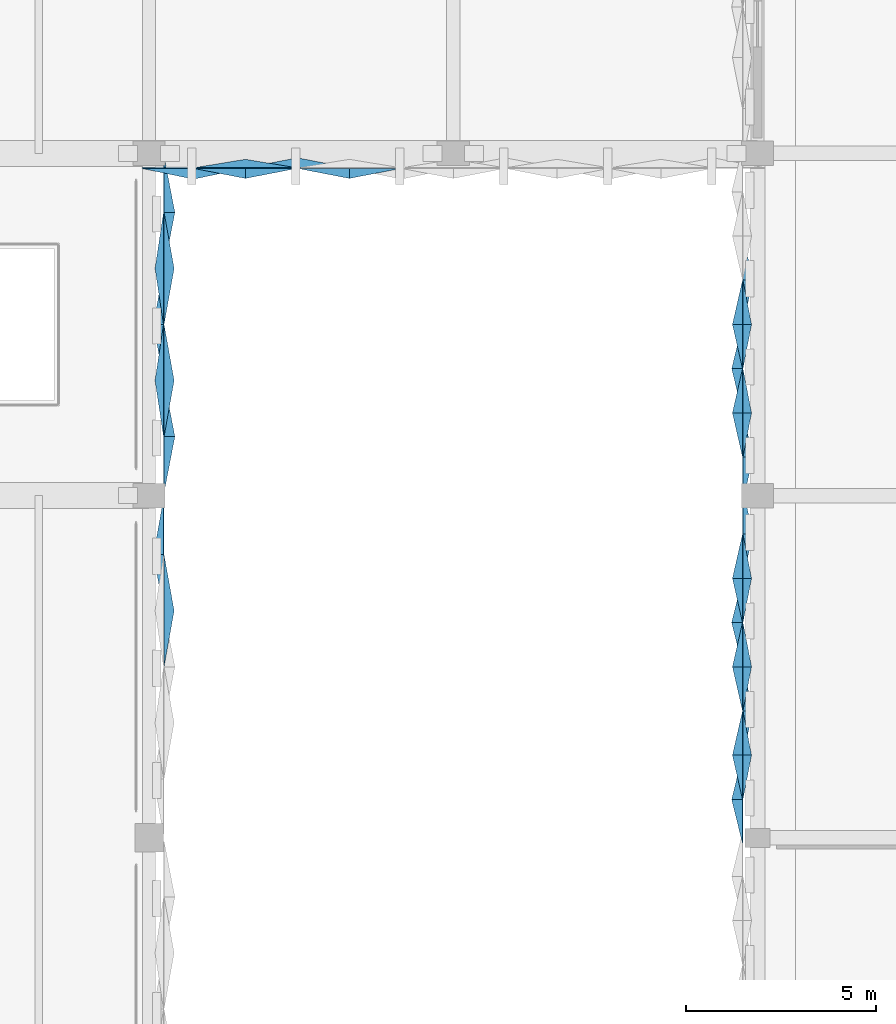
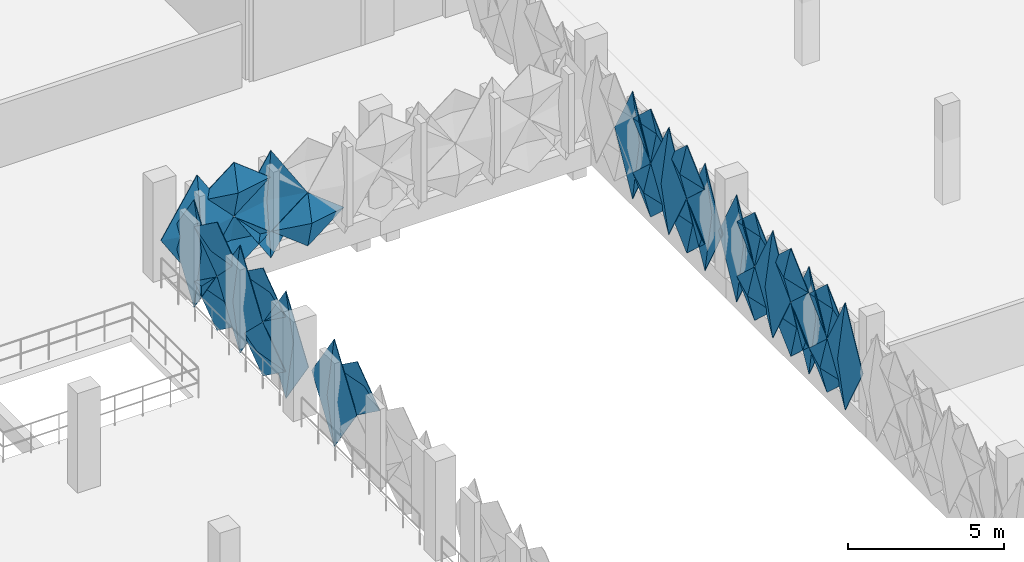
# One storey, part 59 of 76: 31 plates.
"""IFC4 building model written with IfcOpenShell, lengths in metres."""

from ifc_helpers import new_model, si_unit, derived_unit, direction, frame, origin, place, context, subcontext, project, spatial, polygons, material, layer, layer_set, type_object, element, save


model = new_model("IFC4")

# Units and contexts
model_context = context("Model", 3, precision=1e-05, world=origin(), true_north=direction((0.0, 1.0)))
body_context = subcontext(model_context, "Body", "Model", "MODEL_VIEW")
ifc_project = project(units=[si_unit("LENGTHUNIT", "METRE"), si_unit("AREAUNIT", "SQUARE_METRE"), si_unit("VOLUMEUNIT", "CUBIC_METRE"), si_unit("PLANEANGLEUNIT", "RADIAN"), si_unit("MASSUNIT", "GRAM", prefix="KILO"), si_unit("THERMODYNAMICTEMPERATUREUNIT", "KELVIN"), derived_unit("THERMALTRANSMITTANCEUNIT", [(si_unit("POWERUNIT", "WATT"), 1), (si_unit("AREAUNIT", "SQUARE_METRE"), -1), (si_unit("THERMODYNAMICTEMPERATUREUNIT", "KELVIN"), -1)])], contexts=[model_context])

# Site, building, storey
site_placement = place(None, origin())
site = spatial("IfcSite", under=ifc_project, at=site_placement, CompositionType="ELEMENT")
building_placement = place(site_placement, origin())
building = spatial("IfcBuilding", under=site, at=building_placement, Name="Haiyu Intermodal Mobility Hub", CompositionType="ELEMENT")
storey_placement = place(building_placement, frame((0.0, 0.0, 17.300048828125)))
storey = spatial("IfcBuildingStorey", under=building, at=storey_placement, Name="L04", CompositionType="ELEMENT", Elevation=17.300048828125)

# Plates
ifc_material = material(Name="Anodised aluminium 6063-T6", Category="aluminium")
ifc_layer_1 = layer(ifc_material, 0.01806640625)
ifc_layer_set_1 = layer_set([ifc_layer_1], Name="Anodised aluminium 6063-T6")
plate_type_1 = type_object("IfcPlateType", Name="PLT-FC01", PredefinedType="USERDEFINED", material=ifc_layer_set_1)
plate_1_placement = place(storey_placement, origin())
element("IfcPlate", 1, at=plate_1_placement, inside=storey, type_object=plate_type_1, Name="PLT-PYR-0719", ObjectType="FACADE CASSETTE", PredefinedType="USERDEFINED", context=body_context, shape_type="Tessellation", body=[
    polygons([(146.39990234375, 123.552978515625, -0.510009765625), (146.39990234375, 125.007080078125, 1.599853515625), (146.39990234375, 123.552978515625, 3.7099609375), (146.39990234375, 122.10009765625, 1.599853515625), (146.679931640625, 123.552978515625, 1.599853515625), (146.3779296875, 123.552978515625, -0.510009765625), (146.3779296875, 125.007080078125, 1.599853515625), (146.3779296875, 123.552978515625, 3.7099609375), (146.3779296875, 122.10009765625, 1.599853515625), (146.657958984375, 123.552978515625, 1.599853515625)], [[[1, 2, 5]], [[2, 3, 5]], [[3, 4, 5]], [[4, 1, 5]], [[7, 6, 10]], [[8, 7, 10]], [[9, 8, 10]], [[6, 9, 10]], [[1, 6, 7, 2]], [[2, 7, 8, 3]], [[3, 8, 9, 4]], [[4, 9, 6, 1]]], closed=True),
])
plate_2_placement = place(storey_placement, origin())
element("IfcPlate", 2, at=plate_2_placement, inside=storey, type_object=plate_type_1, Name="PLT-PYR-0723", ObjectType="FACADE CASSETTE", PredefinedType="USERDEFINED", context=body_context, shape_type="Tessellation", body=[
    polygons([(146.39990234375, 127.972900390625, -0.52001953125), (146.39990234375, 129.427001953125, 0.530029296875), (146.39990234375, 127.972900390625, 1.579833984375), (146.39990234375, 126.52001953125, 0.530029296875), (146.659912109375, 127.972900390625, 0.530029296875), (146.3779296875, 127.972900390625, -0.52001953125), (146.3779296875, 129.427001953125, 0.530029296875), (146.3779296875, 127.972900390625, 1.579833984375), (146.3779296875, 126.52001953125, 0.530029296875), (146.637939453125, 127.972900390625, 0.530029296875)], [[[1, 2, 5]], [[2, 3, 5]], [[3, 4, 5]], [[4, 1, 5]], [[7, 6, 10]], [[8, 7, 10]], [[9, 8, 10]], [[6, 9, 10]], [[1, 6, 7, 2]], [[2, 7, 8, 3]], [[3, 8, 9, 4]], [[4, 9, 6, 1]]], closed=True),
])
plate_3_placement = place(storey_placement, origin())
element("IfcPlate", 3, at=plate_3_placement, inside=storey, type_object=plate_type_1, Name="PLT-PYR-1993", ObjectType="FACADE CASSETTE", PredefinedType="USERDEFINED", context=body_context, shape_type="Tessellation", body=[
    polygons([(161.60009765625, 119.824951171875, -0.52001953125), (161.60009765625, 118.681884765625, 0.530029296875), (161.60009765625, 119.824951171875, 1.579833984375), (161.60009765625, 120.968017578125, 0.530029296875), (161.340087890625, 119.824951171875, 0.530029296875), (161.6220703125, 119.824951171875, -0.52001953125), (161.6220703125, 118.681884765625, 0.530029296875), (161.6220703125, 119.824951171875, 1.579833984375), (161.6220703125, 120.968017578125, 0.530029296875), (161.362060546875, 119.824951171875, 0.530029296875)], [[[1, 2, 5]], [[2, 3, 5]], [[3, 4, 5]], [[4, 1, 5]], [[7, 6, 10]], [[8, 7, 10]], [[9, 8, 10]], [[6, 9, 10]], [[1, 6, 7, 2]], [[2, 7, 8, 3]], [[3, 8, 9, 4]], [[4, 9, 6, 1]]], closed=True),
])
plate_4_placement = place(storey_placement, origin())
element("IfcPlate", 4, at=plate_4_placement, inside=storey, type_object=plate_type_1, Name="PLT-PYR-1999", ObjectType="FACADE CASSETTE", PredefinedType="USERDEFINED", context=body_context, shape_type="Tessellation", body=[
    polygons([(161.60009765625, 115.175048828125, -0.52001953125), (161.60009765625, 114.031982421875, 0.530029296875), (161.60009765625, 115.175048828125, 1.579833984375), (161.60009765625, 116.318115234375, 0.530029296875), (161.340087890625, 115.175048828125, 0.530029296875), (161.6220703125, 115.175048828125, -0.52001953125), (161.6220703125, 114.031982421875, 0.530029296875), (161.6220703125, 115.175048828125, 1.579833984375), (161.6220703125, 116.318115234375, 0.530029296875), (161.362060546875, 115.175048828125, 0.530029296875)], [[[1, 2, 5]], [[2, 3, 5]], [[3, 4, 5]], [[4, 1, 5]], [[7, 6, 10]], [[8, 7, 10]], [[9, 8, 10]], [[6, 9, 10]], [[1, 6, 7, 2]], [[2, 7, 8, 3]], [[3, 8, 9, 4]], [[4, 9, 6, 1]]], closed=True),
])
plate_5_placement = place(storey_placement, origin())
element("IfcPlate", 5, at=plate_5_placement, inside=storey, type_object=plate_type_1, Name="PLT-PYR-2006", ObjectType="FACADE CASSETTE", PredefinedType="USERDEFINED", context=body_context, shape_type="Tessellation", body=[
    polygons([(161.60009765625, 126.5, -0.52001953125), (161.60009765625, 125.35791015625, 0.530029296875), (161.60009765625, 126.5, 1.579833984375), (161.60009765625, 127.64306640625, 0.530029296875), (161.340087890625, 126.5, 0.530029296875), (161.6220703125, 126.5, -0.52001953125), (161.6220703125, 125.35791015625, 0.530029296875), (161.6220703125, 126.5, 1.579833984375), (161.6220703125, 127.64306640625, 0.530029296875), (161.362060546875, 126.5, 0.530029296875)], [[[1, 2, 5]], [[2, 3, 5]], [[3, 4, 5]], [[4, 1, 5]], [[7, 6, 10]], [[8, 7, 10]], [[9, 8, 10]], [[6, 9, 10]], [[1, 6, 7, 2]], [[2, 7, 8, 3]], [[3, 8, 9, 4]], [[4, 9, 6, 1]]], closed=True),
])
plate_6_placement = place(storey_placement, origin())
element("IfcPlate", 6, at=plate_6_placement, inside=storey, type_object=plate_type_1, Name="PLT-PYR-2403", ObjectType="FACADE CASSETTE", PredefinedType="USERDEFINED", context=body_context, shape_type="Tessellation", body=[
    polygons([(147.1669921875, 130.60009765625, -0.510009765625), (148.512939453125, 130.60009765625, 1.599853515625), (147.1669921875, 130.60009765625, 3.7099609375), (145.820068359375, 130.60009765625, 1.599853515625), (147.1669921875, 130.320068359375, 1.599853515625), (147.1669921875, 130.6220703125, -0.510009765625), (148.512939453125, 130.6220703125, 1.599853515625), (147.1669921875, 130.6220703125, 3.7099609375), (145.820068359375, 130.6220703125, 1.599853515625), (147.1669921875, 130.342041015625, 1.599853515625)], [[[1, 2, 5]], [[2, 3, 5]], [[3, 4, 5]], [[4, 1, 5]], [[7, 6, 10]], [[8, 7, 10]], [[9, 8, 10]], [[6, 9, 10]], [[1, 6, 7, 2]], [[2, 7, 8, 3]], [[3, 8, 9, 4]], [[4, 9, 6, 1]]], closed=True),
])
plate_7_placement = place(storey_placement, origin())
element("IfcPlate", 7, at=plate_7_placement, inside=storey, type_object=plate_type_1, Name="PLT-PYR-2407", ObjectType="FACADE CASSETTE", PredefinedType="USERDEFINED", context=body_context, shape_type="Tessellation", body=[
    polygons([(151.26708984375, 130.60009765625, -0.52001953125), (152.613037109375, 130.60009765625, 0.530029296875), (151.26708984375, 130.60009765625, 1.579833984375), (149.919921875, 130.60009765625, 0.530029296875), (151.26708984375, 130.340087890625, 0.530029296875), (151.26708984375, 130.6220703125, -0.52001953125), (152.613037109375, 130.6220703125, 0.530029296875), (151.26708984375, 130.6220703125, 1.579833984375), (149.919921875, 130.6220703125, 0.530029296875), (151.26708984375, 130.362060546875, 0.530029296875)], [[[1, 2, 5]], [[2, 3, 5]], [[3, 4, 5]], [[4, 1, 5]], [[7, 6, 10]], [[8, 7, 10]], [[9, 8, 10]], [[6, 9, 10]], [[1, 6, 7, 2]], [[2, 7, 8, 3]], [[3, 8, 9, 4]], [[4, 9, 6, 1]]], closed=True),
])
ifc_layer_2 = layer(ifc_material, 0.02001953125)
ifc_layer_set_2 = layer_set([ifc_layer_2], Name="Anodised aluminium 6063-T6")
plate_type_2 = type_object("IfcPlateType", Name="PLT-FC02", PredefinedType="USERDEFINED", material=ifc_layer_set_2)
plate_8_placement = place(storey_placement, origin())
element("IfcPlate", 8, at=plate_8_placement, inside=storey, type_object=plate_type_2, Name="PLT-PYR-0720", ObjectType="FACADE CASSETTE", PredefinedType="USERDEFINED", context=body_context, shape_type="Tessellation", body=[
    polygons([(146.39990234375, 125.027099609375, -0.52001953125), (146.39990234375, 126.47998046875, 0.530029296875), (146.39990234375, 125.027099609375, 1.579833984375), (146.39990234375, 123.572998046875, 0.530029296875), (146.179931640625, 125.027099609375, 0.530029296875), (146.3779296875, 125.027099609375, -0.52001953125), (146.3779296875, 126.47998046875, 0.530029296875), (146.3779296875, 125.027099609375, 1.579833984375), (146.3779296875, 123.572998046875, 0.530029296875), (146.157958984375, 125.027099609375, 0.530029296875)], [[[1, 2, 5]], [[2, 3, 5]], [[3, 4, 5]], [[4, 1, 5]], [[7, 6, 10]], [[8, 7, 10]], [[9, 8, 10]], [[6, 9, 10]], [[1, 6, 7, 2]], [[2, 7, 8, 3]], [[3, 8, 9, 4]], [[4, 9, 6, 1]]], closed=True),
])
plate_9_placement = place(storey_placement, origin())
element("IfcPlate", 9, at=plate_9_placement, inside=storey, type_object=plate_type_2, Name="PLT-PYR-1992", ObjectType="FACADE CASSETTE", PredefinedType="USERDEFINED", context=body_context, shape_type="Tessellation", body=[
    polygons([(161.60009765625, 120.988037109375, -0.510009765625), (161.60009765625, 119.844970703125, 1.599853515625), (161.60009765625, 120.988037109375, 3.7099609375), (161.60009765625, 122.1298828125, 1.599853515625), (161.860107421875, 120.988037109375, 1.599853515625), (161.6220703125, 120.988037109375, -0.510009765625), (161.6220703125, 119.844970703125, 1.599853515625), (161.6220703125, 120.988037109375, 3.7099609375), (161.6220703125, 122.1298828125, 1.599853515625), (161.882080078125, 120.988037109375, 1.599853515625)], [[[1, 2, 5]], [[2, 3, 5]], [[3, 4, 5]], [[4, 1, 5]], [[7, 6, 10]], [[8, 7, 10]], [[9, 8, 10]], [[6, 9, 10]], [[1, 6, 7, 2]], [[2, 7, 8, 3]], [[3, 8, 9, 4]], [[4, 9, 6, 1]]], closed=True),
])
plate_10_placement = place(storey_placement, origin())
element("IfcPlate", 10, at=plate_10_placement, inside=storey, type_object=plate_type_2, Name="PLT-PYR-1996", ObjectType="FACADE CASSETTE", PredefinedType="USERDEFINED", context=body_context, shape_type="Tessellation", body=[
    polygons([(161.60009765625, 117.5, -0.52001953125), (161.60009765625, 116.35791015625, 0.530029296875), (161.60009765625, 117.5, 1.579833984375), (161.60009765625, 118.64306640625, 0.530029296875), (161.820068359375, 117.5, 0.530029296875), (161.6220703125, 117.5, -0.52001953125), (161.6220703125, 116.35791015625, 0.530029296875), (161.6220703125, 117.5, 1.579833984375), (161.6220703125, 118.64306640625, 0.530029296875), (161.842041015625, 117.5, 0.530029296875)], [[[1, 2, 5]], [[2, 3, 5]], [[3, 4, 5]], [[4, 1, 5]], [[7, 6, 10]], [[8, 7, 10]], [[9, 8, 10]], [[6, 9, 10]], [[1, 6, 7, 2]], [[2, 7, 8, 3]], [[3, 8, 9, 4]], [[4, 9, 6, 1]]], closed=True),
])
plate_11_placement = place(storey_placement, origin())
element("IfcPlate", 11, at=plate_11_placement, inside=storey, type_object=plate_type_2, Name="PLT-PYR-2009", ObjectType="FACADE CASSETTE", PredefinedType="USERDEFINED", context=body_context, shape_type="Tessellation", body=[
    polygons([(161.60009765625, 124.175048828125, -0.52001953125), (161.60009765625, 123.031982421875, 0.530029296875), (161.60009765625, 124.175048828125, 1.579833984375), (161.60009765625, 125.318115234375, 0.530029296875), (161.820068359375, 124.175048828125, 0.530029296875), (161.6220703125, 124.175048828125, -0.52001953125), (161.6220703125, 123.031982421875, 0.530029296875), (161.6220703125, 124.175048828125, 1.579833984375), (161.6220703125, 125.318115234375, 0.530029296875), (161.842041015625, 124.175048828125, 0.530029296875)], [[[1, 2, 5]], [[2, 3, 5]], [[3, 4, 5]], [[4, 1, 5]], [[7, 6, 10]], [[8, 7, 10]], [[9, 8, 10]], [[6, 9, 10]], [[1, 6, 7, 2]], [[2, 7, 8, 3]], [[3, 8, 9, 4]], [[4, 9, 6, 1]]], closed=True),
])
plate_12_placement = place(storey_placement, origin())
element("IfcPlate", 12, at=plate_12_placement, inside=storey, type_object=plate_type_2, Name="PLT-PYR-2404", ObjectType="FACADE CASSETTE", PredefinedType="USERDEFINED", context=body_context, shape_type="Tessellation", body=[
    polygons([(148.532958984375, 130.60009765625, -0.52001953125), (149.8798828125, 130.60009765625, 0.530029296875), (148.532958984375, 130.60009765625, 1.579833984375), (147.18701171875, 130.60009765625, 0.530029296875), (148.532958984375, 130.820068359375, 0.530029296875), (148.532958984375, 130.6220703125, -0.52001953125), (149.8798828125, 130.6220703125, 0.530029296875), (148.532958984375, 130.6220703125, 1.579833984375), (147.18701171875, 130.6220703125, 0.530029296875), (148.532958984375, 130.842041015625, 0.530029296875)], [[[1, 2, 5]], [[2, 3, 5]], [[3, 4, 5]], [[4, 1, 5]], [[7, 6, 10]], [[8, 7, 10]], [[9, 8, 10]], [[6, 9, 10]], [[1, 6, 7, 2]], [[2, 7, 8, 3]], [[3, 8, 9, 4]], [[4, 9, 6, 1]]], closed=True),
])
ifc_layer_3 = layer(ifc_material, 0.01806640625)
ifc_layer_set_3 = layer_set([ifc_layer_3], Name="Anodised aluminium 6063-T6")
plate_type_3 = type_object("IfcPlateType", Name="PLT-FC03", PredefinedType="USERDEFINED", material=ifc_layer_set_3)
plate_13_placement = place(storey_placement, origin())
element("IfcPlate", 13, at=plate_13_placement, inside=storey, type_object=plate_type_3, Name="PLT-PYR-0717", ObjectType="FACADE CASSETTE", PredefinedType="USERDEFINED", context=body_context, shape_type="Tessellation", body=[
    polygons([(146.39990234375, 118.972900390625, 1.619873046875), (146.39990234375, 120.427001953125, 2.669921875), (146.39990234375, 118.972900390625, 3.719970703125), (146.39990234375, 117.52001953125, 2.669921875), (146.659912109375, 118.972900390625, 2.669921875), (146.3779296875, 118.972900390625, 1.619873046875), (146.3779296875, 120.427001953125, 2.669921875), (146.3779296875, 118.972900390625, 3.719970703125), (146.3779296875, 117.52001953125, 2.669921875), (146.637939453125, 118.972900390625, 2.669921875)], [[[1, 2, 5]], [[2, 3, 5]], [[3, 4, 5]], [[4, 1, 5]], [[7, 6, 10]], [[8, 7, 10]], [[9, 8, 10]], [[6, 9, 10]], [[1, 6, 7, 2]], [[2, 7, 8, 3]], [[3, 8, 9, 4]], [[4, 9, 6, 1]]], closed=True),
])
plate_14_placement = place(storey_placement, origin())
element("IfcPlate", 14, at=plate_14_placement, inside=storey, type_object=plate_type_3, Name="PLT-PYR-0721", ObjectType="FACADE CASSETTE", PredefinedType="USERDEFINED", context=body_context, shape_type="Tessellation", body=[
    polygons([(146.39990234375, 125.027099609375, 1.619873046875), (146.39990234375, 126.47998046875, 2.669921875), (146.39990234375, 125.027099609375, 3.719970703125), (146.39990234375, 123.572998046875, 2.669921875), (146.659912109375, 125.027099609375, 2.669921875), (146.3779296875, 125.027099609375, 1.619873046875), (146.3779296875, 126.47998046875, 2.669921875), (146.3779296875, 125.027099609375, 3.719970703125), (146.3779296875, 123.572998046875, 2.669921875), (146.637939453125, 125.027099609375, 2.669921875)], [[[1, 2, 5]], [[2, 3, 5]], [[3, 4, 5]], [[4, 1, 5]], [[7, 6, 10]], [[8, 7, 10]], [[9, 8, 10]], [[6, 9, 10]], [[1, 6, 7, 2]], [[2, 7, 8, 3]], [[3, 8, 9, 4]], [[4, 9, 6, 1]]], closed=True),
])
plate_15_placement = place(storey_placement, origin())
element("IfcPlate", 15, at=plate_15_placement, inside=storey, type_object=plate_type_3, Name="PLT-PYR-1995", ObjectType="FACADE CASSETTE", PredefinedType="USERDEFINED", context=body_context, shape_type="Tessellation", body=[
    polygons([(161.60009765625, 118.6630859375, -0.510009765625), (161.60009765625, 117.52001953125, 1.599853515625), (161.60009765625, 118.6630859375, 3.7099609375), (161.60009765625, 119.804931640625, 1.599853515625), (161.320068359375, 118.6630859375, 1.599853515625), (161.6220703125, 118.6630859375, -0.510009765625), (161.6220703125, 117.52001953125, 1.599853515625), (161.6220703125, 118.6630859375, 3.7099609375), (161.6220703125, 119.804931640625, 1.599853515625), (161.342041015625, 118.6630859375, 1.599853515625)], [[[1, 2, 5]], [[2, 3, 5]], [[3, 4, 5]], [[4, 1, 5]], [[7, 6, 10]], [[8, 7, 10]], [[9, 8, 10]], [[6, 9, 10]], [[1, 6, 7, 2]], [[2, 7, 8, 3]], [[3, 8, 9, 4]], [[4, 9, 6, 1]]], closed=True),
])
plate_16_placement = place(storey_placement, origin())
element("IfcPlate", 16, at=plate_16_placement, inside=storey, type_object=plate_type_3, Name="PLT-PYR-1997", ObjectType="FACADE CASSETTE", PredefinedType="USERDEFINED", context=body_context, shape_type="Tessellation", body=[
    polygons([(161.60009765625, 117.5, 1.619873046875), (161.60009765625, 116.35791015625, 2.669921875), (161.60009765625, 117.5, 3.719970703125), (161.60009765625, 118.64306640625, 2.669921875), (161.340087890625, 117.5, 2.669921875), (161.6220703125, 117.5, 1.619873046875), (161.6220703125, 116.35791015625, 2.669921875), (161.6220703125, 117.5, 3.719970703125), (161.6220703125, 118.64306640625, 2.669921875), (161.362060546875, 117.5, 2.669921875)], [[[1, 2, 5]], [[2, 3, 5]], [[3, 4, 5]], [[4, 1, 5]], [[7, 6, 10]], [[8, 7, 10]], [[9, 8, 10]], [[6, 9, 10]], [[1, 6, 7, 2]], [[2, 7, 8, 3]], [[3, 8, 9, 4]], [[4, 9, 6, 1]]], closed=True),
])
plate_17_placement = place(storey_placement, origin())
element("IfcPlate", 17, at=plate_17_placement, inside=storey, type_object=plate_type_3, Name="PLT-PYR-2010", ObjectType="FACADE CASSETTE", PredefinedType="USERDEFINED", context=body_context, shape_type="Tessellation", body=[
    polygons([(161.60009765625, 124.175048828125, 1.619873046875), (161.60009765625, 123.031982421875, 2.669921875), (161.60009765625, 124.175048828125, 3.719970703125), (161.60009765625, 125.318115234375, 2.669921875), (161.340087890625, 124.175048828125, 2.669921875), (161.6220703125, 124.175048828125, 1.619873046875), (161.6220703125, 123.031982421875, 2.669921875), (161.6220703125, 124.175048828125, 3.719970703125), (161.6220703125, 125.318115234375, 2.669921875), (161.362060546875, 124.175048828125, 2.669921875)], [[[1, 2, 5]], [[2, 3, 5]], [[3, 4, 5]], [[4, 1, 5]], [[7, 6, 10]], [[8, 7, 10]], [[9, 8, 10]], [[6, 9, 10]], [[1, 6, 7, 2]], [[2, 7, 8, 3]], [[3, 8, 9, 4]], [[4, 9, 6, 1]]], closed=True),
])
plate_18_placement = place(storey_placement, origin())
element("IfcPlate", 18, at=plate_18_placement, inside=storey, type_object=plate_type_3, Name="PLT-PYR-2405", ObjectType="FACADE CASSETTE", PredefinedType="USERDEFINED", context=body_context, shape_type="Tessellation", body=[
    polygons([(148.532958984375, 130.60009765625, 1.619873046875), (149.8798828125, 130.60009765625, 2.669921875), (148.532958984375, 130.60009765625, 3.719970703125), (147.18701171875, 130.60009765625, 2.669921875), (148.532958984375, 130.340087890625, 2.669921875), (148.532958984375, 130.6220703125, 1.619873046875), (149.8798828125, 130.6220703125, 2.669921875), (148.532958984375, 130.6220703125, 3.719970703125), (147.18701171875, 130.6220703125, 2.669921875), (148.532958984375, 130.362060546875, 2.669921875)], [[[1, 2, 5]], [[2, 3, 5]], [[3, 4, 5]], [[4, 1, 5]], [[7, 6, 10]], [[8, 7, 10]], [[9, 8, 10]], [[6, 9, 10]], [[1, 6, 7, 2]], [[2, 7, 8, 3]], [[3, 8, 9, 4]], [[4, 9, 6, 1]]], closed=True),
])
ifc_layer_4 = layer(ifc_material, 0.02001953125)
ifc_layer_set_4 = layer_set([ifc_layer_4], Name="Anodised aluminium 6063-T6")
plate_type_4 = type_object("IfcPlateType", Name="PLT-FC04", PredefinedType="USERDEFINED", material=ifc_layer_set_4)
plate_19_placement = place(storey_placement, origin())
element("IfcPlate", 19, at=plate_19_placement, inside=storey, type_object=plate_type_4, Name="PLT-PYR-0722", ObjectType="FACADE CASSETTE", PredefinedType="USERDEFINED", context=body_context, shape_type="Tessellation", body=[
    polygons([(146.39990234375, 126.5, -0.510009765625), (146.39990234375, 127.952880859375, 1.599853515625), (146.39990234375, 126.5, 3.7099609375), (146.39990234375, 125.047119140625, 1.599853515625), (146.139892578125, 126.5, 1.599853515625), (146.3779296875, 126.5, -0.510009765625), (146.3779296875, 127.952880859375, 1.599853515625), (146.3779296875, 126.5, 3.7099609375), (146.3779296875, 125.047119140625, 1.599853515625), (146.117919921875, 126.5, 1.599853515625)], [[[1, 2, 5]], [[2, 3, 5]], [[3, 4, 5]], [[4, 1, 5]], [[7, 6, 10]], [[8, 7, 10]], [[9, 8, 10]], [[6, 9, 10]], [[1, 6, 7, 2]], [[2, 7, 8, 3]], [[3, 8, 9, 4]], [[4, 9, 6, 1]]], closed=True),
])
plate_20_placement = place(storey_placement, origin())
element("IfcPlate", 20, at=plate_20_placement, inside=storey, type_object=plate_type_4, Name="PLT-PYR-0724", ObjectType="FACADE CASSETTE", PredefinedType="USERDEFINED", context=body_context, shape_type="Tessellation", body=[
    polygons([(146.39990234375, 127.972900390625, 1.619873046875), (146.39990234375, 129.427001953125, 2.669921875), (146.39990234375, 127.972900390625, 3.719970703125), (146.39990234375, 126.52001953125, 2.669921875), (146.179931640625, 127.972900390625, 2.669921875), (146.3779296875, 127.972900390625, 1.619873046875), (146.3779296875, 129.427001953125, 2.669921875), (146.3779296875, 127.972900390625, 3.719970703125), (146.3779296875, 126.52001953125, 2.669921875), (146.157958984375, 127.972900390625, 2.669921875)], [[[1, 2, 5]], [[2, 3, 5]], [[3, 4, 5]], [[4, 1, 5]], [[7, 6, 10]], [[8, 7, 10]], [[9, 8, 10]], [[6, 9, 10]], [[1, 6, 7, 2]], [[2, 7, 8, 3]], [[3, 8, 9, 4]], [[4, 9, 6, 1]]], closed=True),
])
plate_21_placement = place(storey_placement, origin())
element("IfcPlate", 21, at=plate_21_placement, inside=storey, type_object=plate_type_4, Name="PLT-PYR-1994", ObjectType="FACADE CASSETTE", PredefinedType="USERDEFINED", context=body_context, shape_type="Tessellation", body=[
    polygons([(161.60009765625, 119.824951171875, 1.619873046875), (161.60009765625, 118.681884765625, 2.669921875), (161.60009765625, 119.824951171875, 3.719970703125), (161.60009765625, 120.968017578125, 2.669921875), (161.820068359375, 119.824951171875, 2.669921875), (161.6220703125, 119.824951171875, 1.619873046875), (161.6220703125, 118.681884765625, 2.669921875), (161.6220703125, 119.824951171875, 3.719970703125), (161.6220703125, 120.968017578125, 2.669921875), (161.842041015625, 119.824951171875, 2.669921875)], [[[1, 2, 5]], [[2, 3, 5]], [[3, 4, 5]], [[4, 1, 5]], [[7, 6, 10]], [[8, 7, 10]], [[9, 8, 10]], [[6, 9, 10]], [[1, 6, 7, 2]], [[2, 7, 8, 3]], [[3, 8, 9, 4]], [[4, 9, 6, 1]]], closed=True),
])
plate_22_placement = place(storey_placement, origin())
element("IfcPlate", 22, at=plate_22_placement, inside=storey, type_object=plate_type_4, Name="PLT-PYR-2000", ObjectType="FACADE CASSETTE", PredefinedType="USERDEFINED", context=body_context, shape_type="Tessellation", body=[
    polygons([(161.60009765625, 115.175048828125, 1.619873046875), (161.60009765625, 114.031982421875, 2.669921875), (161.60009765625, 115.175048828125, 3.719970703125), (161.60009765625, 116.318115234375, 2.669921875), (161.820068359375, 115.175048828125, 2.669921875), (161.6220703125, 115.175048828125, 1.619873046875), (161.6220703125, 114.031982421875, 2.669921875), (161.6220703125, 115.175048828125, 3.719970703125), (161.6220703125, 116.318115234375, 2.669921875), (161.842041015625, 115.175048828125, 2.669921875)], [[[1, 2, 5]], [[2, 3, 5]], [[3, 4, 5]], [[4, 1, 5]], [[7, 6, 10]], [[8, 7, 10]], [[9, 8, 10]], [[6, 9, 10]], [[1, 6, 7, 2]], [[2, 7, 8, 3]], [[3, 8, 9, 4]], [[4, 9, 6, 1]]], closed=True),
])
plate_23_placement = place(storey_placement, origin())
element("IfcPlate", 23, at=plate_23_placement, inside=storey, type_object=plate_type_4, Name="PLT-PYR-2005", ObjectType="FACADE CASSETTE", PredefinedType="USERDEFINED", context=body_context, shape_type="Tessellation", body=[
    polygons([(161.60009765625, 127.6630859375, -0.510009765625), (161.60009765625, 126.52001953125, 1.599853515625), (161.60009765625, 127.6630859375, 3.7099609375), (161.60009765625, 128.804931640625, 1.599853515625), (161.860107421875, 127.6630859375, 1.599853515625), (161.6220703125, 127.6630859375, -0.510009765625), (161.6220703125, 126.52001953125, 1.599853515625), (161.6220703125, 127.6630859375, 3.7099609375), (161.6220703125, 128.804931640625, 1.599853515625), (161.882080078125, 127.6630859375, 1.599853515625)], [[[1, 2, 5]], [[2, 3, 5]], [[3, 4, 5]], [[4, 1, 5]], [[7, 6, 10]], [[8, 7, 10]], [[9, 8, 10]], [[6, 9, 10]], [[1, 6, 7, 2]], [[2, 7, 8, 3]], [[3, 8, 9, 4]], [[4, 9, 6, 1]]], closed=True),
])
plate_24_placement = place(storey_placement, origin())
element("IfcPlate", 24, at=plate_24_placement, inside=storey, type_object=plate_type_4, Name="PLT-PYR-2007", ObjectType="FACADE CASSETTE", PredefinedType="USERDEFINED", context=body_context, shape_type="Tessellation", body=[
    polygons([(161.60009765625, 126.5, 1.619873046875), (161.60009765625, 125.35791015625, 2.669921875), (161.60009765625, 126.5, 3.719970703125), (161.60009765625, 127.64306640625, 2.669921875), (161.820068359375, 126.5, 2.669921875), (161.6220703125, 126.5, 1.619873046875), (161.6220703125, 125.35791015625, 2.669921875), (161.6220703125, 126.5, 3.719970703125), (161.6220703125, 127.64306640625, 2.669921875), (161.842041015625, 126.5, 2.669921875)], [[[1, 2, 5]], [[2, 3, 5]], [[3, 4, 5]], [[4, 1, 5]], [[7, 6, 10]], [[8, 7, 10]], [[9, 8, 10]], [[6, 9, 10]], [[1, 6, 7, 2]], [[2, 7, 8, 3]], [[3, 8, 9, 4]], [[4, 9, 6, 1]]], closed=True),
])
plate_25_placement = place(storey_placement, origin())
element("IfcPlate", 25, at=plate_25_placement, inside=storey, type_object=plate_type_4, Name="PLT-PYR-2406", ObjectType="FACADE CASSETTE", PredefinedType="USERDEFINED", context=body_context, shape_type="Tessellation", body=[
    polygons([(149.89990234375, 130.60009765625, -0.510009765625), (151.2470703125, 130.60009765625, 1.599853515625), (149.89990234375, 130.60009765625, 3.7099609375), (148.552978515625, 130.60009765625, 1.599853515625), (149.89990234375, 130.860107421875, 1.599853515625), (149.89990234375, 130.6220703125, -0.510009765625), (151.2470703125, 130.6220703125, 1.599853515625), (149.89990234375, 130.6220703125, 3.7099609375), (148.552978515625, 130.6220703125, 1.599853515625), (149.89990234375, 130.882080078125, 1.599853515625)], [[[1, 2, 5]], [[2, 3, 5]], [[3, 4, 5]], [[4, 1, 5]], [[7, 6, 10]], [[8, 7, 10]], [[9, 8, 10]], [[6, 9, 10]], [[1, 6, 7, 2]], [[2, 7, 8, 3]], [[3, 8, 9, 4]], [[4, 9, 6, 1]]], closed=True),
])
ifc_layer_5 = layer(ifc_material, 0.01806640625)
ifc_layer_set_5 = layer_set([ifc_layer_5], Name="Anodised aluminium 6063-T6")
plate_type_5 = type_object("IfcPlateType", Name="PLT-FC05", PredefinedType="USERDEFINED", material=ifc_layer_set_5)
plate_26_placement = place(storey_placement, origin())
element("IfcPlate", 26, at=plate_26_placement, inside=storey, type_object=plate_type_5, Name="PLT-PYR-0725", ObjectType="FACADE CASSETTE", PredefinedType="USERDEFINED", context=body_context, shape_type="Tessellation", body=[
    polygons([(146.39990234375, 129.447021484375, -0.510009765625), (146.39990234375, 130.89990234375, 1.599853515625), (146.39990234375, 129.447021484375, 3.7099609375), (146.39990234375, 127.992919921875, 1.599853515625), (146.679931640625, 129.447021484375, 1.599853515625), (146.3779296875, 129.447021484375, -0.510009765625), (146.3779296875, 130.89990234375, 1.599853515625), (146.3779296875, 129.447021484375, 3.7099609375), (146.3779296875, 127.992919921875, 1.599853515625), (146.657958984375, 129.447021484375, 1.599853515625)], [[[1, 2, 5]], [[2, 3, 5]], [[3, 4, 5]], [[4, 1, 5]], [[7, 6, 10]], [[8, 7, 10]], [[9, 8, 10]], [[6, 9, 10]], [[1, 6, 7, 2]], [[2, 7, 8, 3]], [[3, 8, 9, 4]], [[4, 9, 6, 1]]], closed=True),
])
plate_27_placement = place(storey_placement, origin())
element("IfcPlate", 27, at=plate_27_placement, inside=storey, type_object=plate_type_5, Name="PLT-PYR-2008", ObjectType="FACADE CASSETTE", PredefinedType="USERDEFINED", context=body_context, shape_type="Tessellation", body=[
    polygons([(161.60009765625, 125.337890625, -0.510009765625), (161.60009765625, 124.195068359375, 1.599853515625), (161.60009765625, 125.337890625, 3.7099609375), (161.60009765625, 126.47998046875, 1.599853515625), (161.320068359375, 125.337890625, 1.599853515625), (161.6220703125, 125.337890625, -0.510009765625), (161.6220703125, 124.195068359375, 1.599853515625), (161.6220703125, 125.337890625, 3.7099609375), (161.6220703125, 126.47998046875, 1.599853515625), (161.342041015625, 125.337890625, 1.599853515625)], [[[1, 2, 5]], [[2, 3, 5]], [[3, 4, 5]], [[4, 1, 5]], [[7, 6, 10]], [[8, 7, 10]], [[9, 8, 10]], [[6, 9, 10]], [[1, 6, 7, 2]], [[2, 7, 8, 3]], [[3, 8, 9, 4]], [[4, 9, 6, 1]]], closed=True),
])
ifc_layer_6 = layer(ifc_material, 0.02001953125)
ifc_layer_set_6 = layer_set([ifc_layer_6], Name="Anodised aluminium 6063-T6")
plate_type_6 = type_object("IfcPlateType", Name="PLT-FC06", PredefinedType="USERDEFINED", material=ifc_layer_set_6)
plate_28_placement = place(storey_placement, origin())
element("IfcPlate", 28, at=plate_28_placement, inside=storey, type_object=plate_type_6, Name="PLT-PYR-0718", ObjectType="FACADE CASSETTE", PredefinedType="USERDEFINED", context=body_context, shape_type="Tessellation", body=[
    polygons([(146.39990234375, 120.447021484375, -0.510009765625), (146.39990234375, 121.89990234375, 1.599853515625), (146.39990234375, 120.447021484375, 3.7099609375), (146.39990234375, 118.992919921875, 1.599853515625), (146.139892578125, 120.447021484375, 1.599853515625), (146.3779296875, 120.447021484375, -0.510009765625), (146.3779296875, 121.89990234375, 1.599853515625), (146.3779296875, 120.447021484375, 3.7099609375), (146.3779296875, 118.992919921875, 1.599853515625), (146.117919921875, 120.447021484375, 1.599853515625)], [[[1, 2, 5]], [[2, 3, 5]], [[3, 4, 5]], [[4, 1, 5]], [[7, 6, 10]], [[8, 7, 10]], [[9, 8, 10]], [[6, 9, 10]], [[1, 6, 7, 2]], [[2, 7, 8, 3]], [[3, 8, 9, 4]], [[4, 9, 6, 1]]], closed=True),
])
plate_29_placement = place(storey_placement, origin())
element("IfcPlate", 29, at=plate_29_placement, inside=storey, type_object=plate_type_6, Name="PLT-PYR-1998", ObjectType="FACADE CASSETTE", PredefinedType="USERDEFINED", context=body_context, shape_type="Tessellation", body=[
    polygons([(161.60009765625, 116.337890625, -0.510009765625), (161.60009765625, 115.195068359375, 1.599853515625), (161.60009765625, 116.337890625, 3.7099609375), (161.60009765625, 117.47998046875, 1.599853515625), (161.860107421875, 116.337890625, 1.599853515625), (161.6220703125, 116.337890625, -0.510009765625), (161.6220703125, 115.195068359375, 1.599853515625), (161.6220703125, 116.337890625, 3.7099609375), (161.6220703125, 117.47998046875, 1.599853515625), (161.882080078125, 116.337890625, 1.599853515625)], [[[1, 2, 5]], [[2, 3, 5]], [[3, 4, 5]], [[4, 1, 5]], [[7, 6, 10]], [[8, 7, 10]], [[9, 8, 10]], [[6, 9, 10]], [[1, 6, 7, 2]], [[2, 7, 8, 3]], [[3, 8, 9, 4]], [[4, 9, 6, 1]]], closed=True),
])
ifc_layer_7 = layer(ifc_material, 0.02197265625)
ifc_layer_set_7 = layer_set([ifc_layer_7], Name="Anodised aluminium 6063-T6")
plate_type_7 = type_object("IfcPlateType", Name="PLT-FC07", PredefinedType="USERDEFINED", material=ifc_layer_set_7)
plate_30_placement = place(storey_placement, origin())
element("IfcPlate", 30, at=plate_30_placement, inside=storey, type_object=plate_type_7, Name="PLT-PYR-2001", ObjectType="FACADE CASSETTE", PredefinedType="USERDEFINED", context=body_context, shape_type="Tessellation", body=[
    polygons([(161.60009765625, 114.011962890625, -0.510009765625), (161.60009765625, 112.8701171875, 1.599853515625), (161.60009765625, 114.011962890625, 3.7099609375), (161.60009765625, 115.155029296875, 1.599853515625), (161.320068359375, 114.011962890625, 1.599853515625), (161.6220703125, 114.011962890625, -0.510009765625), (161.6220703125, 112.8701171875, 1.599853515625), (161.6220703125, 114.011962890625, 3.7099609375), (161.6220703125, 115.155029296875, 1.599853515625), (161.342041015625, 114.011962890625, 1.599853515625)], [[[1, 2, 5]], [[2, 3, 5]], [[3, 4, 5]], [[4, 1, 5]], [[7, 6, 10]], [[8, 7, 10]], [[9, 8, 10]], [[6, 9, 10]], [[1, 6, 7, 2]], [[2, 7, 8, 3]], [[3, 8, 9, 4]], [[4, 9, 6, 1]]], closed=True),
])
ifc_layer_8 = layer(ifc_material, 0.02392578125)
ifc_layer_set_8 = layer_set([ifc_layer_8], Name="Anodised aluminium 6063-T6")
plate_type_8 = type_object("IfcPlateType", Name="PLT-FC08", PredefinedType="USERDEFINED", material=ifc_layer_set_8)
plate_31_placement = place(storey_placement, origin())
element("IfcPlate", 31, at=plate_31_placement, inside=storey, type_object=plate_type_8, Name="PLT-PYR-2011", ObjectType="FACADE CASSETTE", PredefinedType="USERDEFINED", context=body_context, shape_type="Tessellation", body=[
    polygons([(161.60009765625, 123.011962890625, -0.510009765625), (161.60009765625, 121.8701171875, 1.599853515625), (161.60009765625, 123.011962890625, 3.7099609375), (161.60009765625, 124.155029296875, 1.599853515625), (161.860107421875, 123.011962890625, 1.599853515625), (161.6220703125, 123.011962890625, -0.510009765625), (161.6220703125, 121.8701171875, 1.599853515625), (161.6220703125, 123.011962890625, 3.7099609375), (161.6220703125, 124.155029296875, 1.599853515625), (161.882080078125, 123.011962890625, 1.599853515625)], [[[1, 2, 5]], [[2, 3, 5]], [[3, 4, 5]], [[4, 1, 5]], [[7, 6, 10]], [[8, 7, 10]], [[9, 8, 10]], [[6, 9, 10]], [[1, 6, 7, 2]], [[2, 7, 8, 3]], [[3, 8, 9, 4]], [[4, 9, 6, 1]]], closed=True),
])

save(model, "model.ifc")
